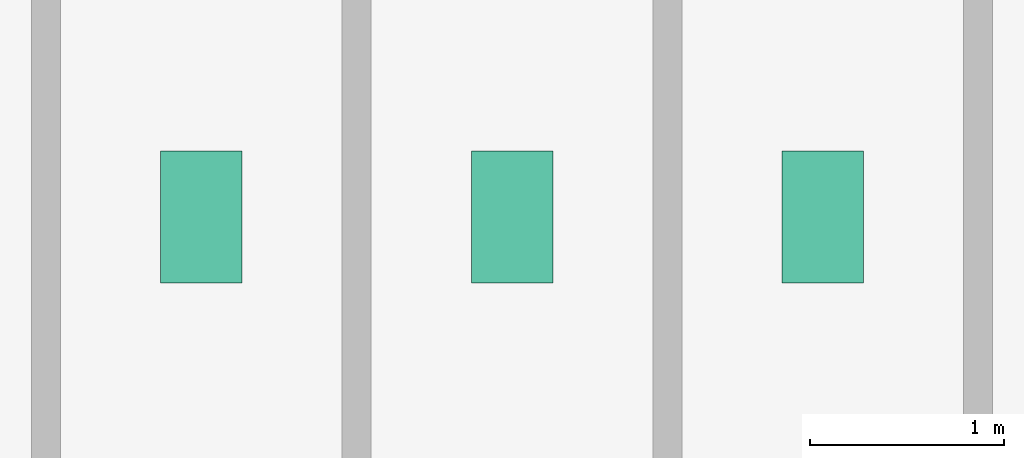
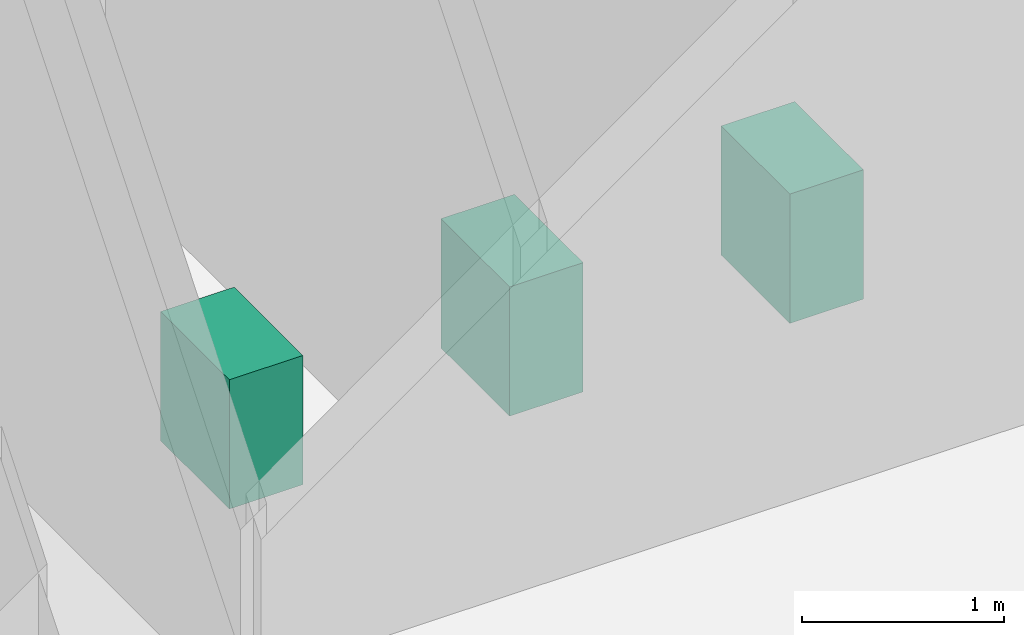
# One storey, part 26 of 26: 3 sanitary terminals.
"""IFC4 building model written with IfcOpenShell, lengths in metres."""

from ifc_helpers import new_model, si_unit, derived_unit, direction, frame, origin, origin_2d, place, context, subcontext, project, spatial, rectangle, extrude, source, transform, mapped, material, type_object, element, save


model = new_model("IFC4")

# Units and contexts
model_context = context("Model", 3, precision=1e-05, world=origin(), true_north=direction((0.0, 1.0)))
body_context = subcontext(model_context, "Body", "Model", "MODEL_VIEW")
ifc_project = project(units=[si_unit("LENGTHUNIT", "METRE"), si_unit("AREAUNIT", "SQUARE_METRE"), si_unit("VOLUMEUNIT", "CUBIC_METRE"), si_unit("PLANEANGLEUNIT", "RADIAN"), si_unit("MASSUNIT", "GRAM", prefix="KILO"), derived_unit("THERMALTRANSMITTANCEUNIT", [(si_unit("POWERUNIT", "WATT"), 1), (si_unit("LENGTHUNIT", "METRE"), -2), (si_unit("THERMODYNAMICTEMPERATUREUNIT", "KELVIN"), -1)])], contexts=[model_context])

# Site, building, storey
site_placement = place(None, origin())
site = spatial("IfcSite", under=ifc_project, at=site_placement, CompositionType="ELEMENT")
building_placement = place(site_placement, origin())
building = spatial("IfcBuilding", under=site, at=building_placement, Name="Skarnbrae Concourse Arena and Tower", CompositionType="ELEMENT")
storey_placement = place(building_placement, frame((0.0, 0.0, 110.550048828125)))
storey = spatial("IfcBuildingStorey", under=building, at=storey_placement, Name="L27", CompositionType="ELEMENT", Elevation=110.550048828125)

# Sanitary terminals
ifc_material = material(Name="Vitreous china sanitaryware", Category="other")
sanitary_terminal_type = type_object("IfcSanitaryTerminalType", Name="SAN-WC-VITREOUS", PredefinedType="TOILETPAN", material=ifc_material)
shared_shape = source(origin(), body_context, "Body", "SweptSolid", [
    extrude(rectangle(XDim=0.419921875, YDim=0.679931640625, at=origin_2d()), origin(), (0.0, 0.0, 1.0), 0.780029296875),
])
for number, where, z_axis, x_axis, name in (
    (1, (35.0, 11.39990234375, 0.0), (0.0, 0.0, 1.0), (1.0, 0.0, 0.0), "L27 Washroom WC fixture 1"),
    (2, (36.60009765625, 11.39990234375, 0.0), (0.0, 0.0, 1.0), (1.0, 0.0, 0.0), "L27 Washroom WC fixture 2"),
    (3, (38.199951171875, 11.39990234375, 0.0), (0.0, 0.0, 1.0), (1.0, 0.0, 0.0), "L27 Washroom WC fixture 3"),
):
    element("IfcSanitaryTerminal", number, at=place(storey_placement, frame(where, z_axis=z_axis, x_axis=x_axis)), inside=storey, type_object=sanitary_terminal_type, Name=name, PredefinedType="TOILETPAN", context=body_context, shape_type="MappedRepresentation", body=[
        mapped(shared_shape, transform((0.0, 0.0, 0.0))),
    ])

save(model, "model.ifc")
